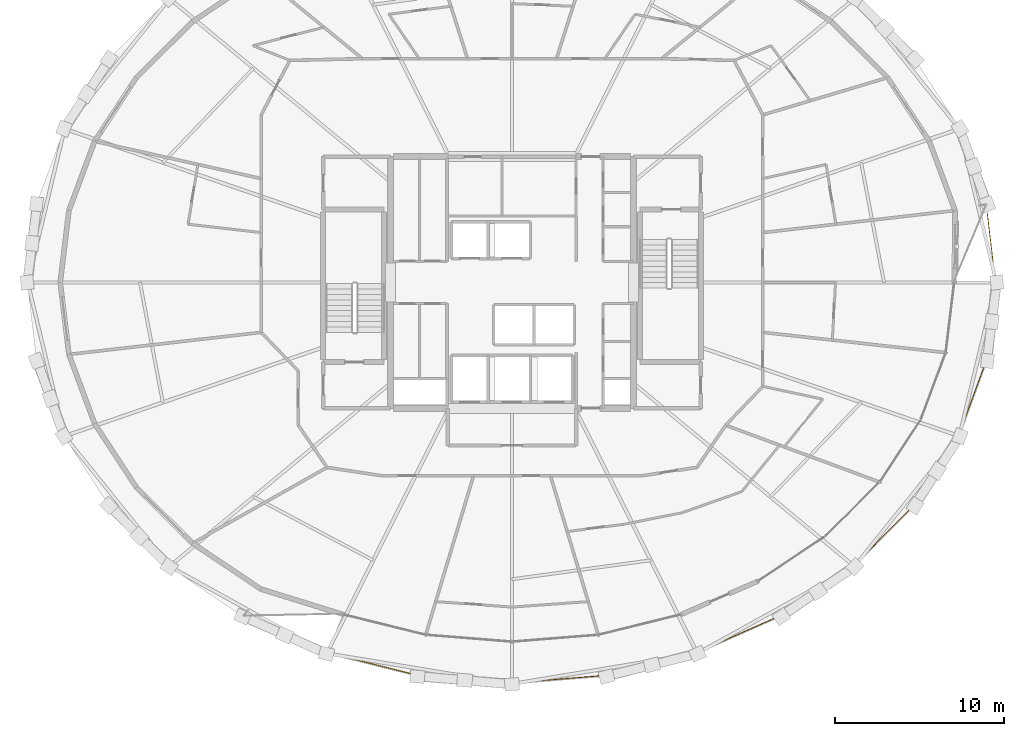
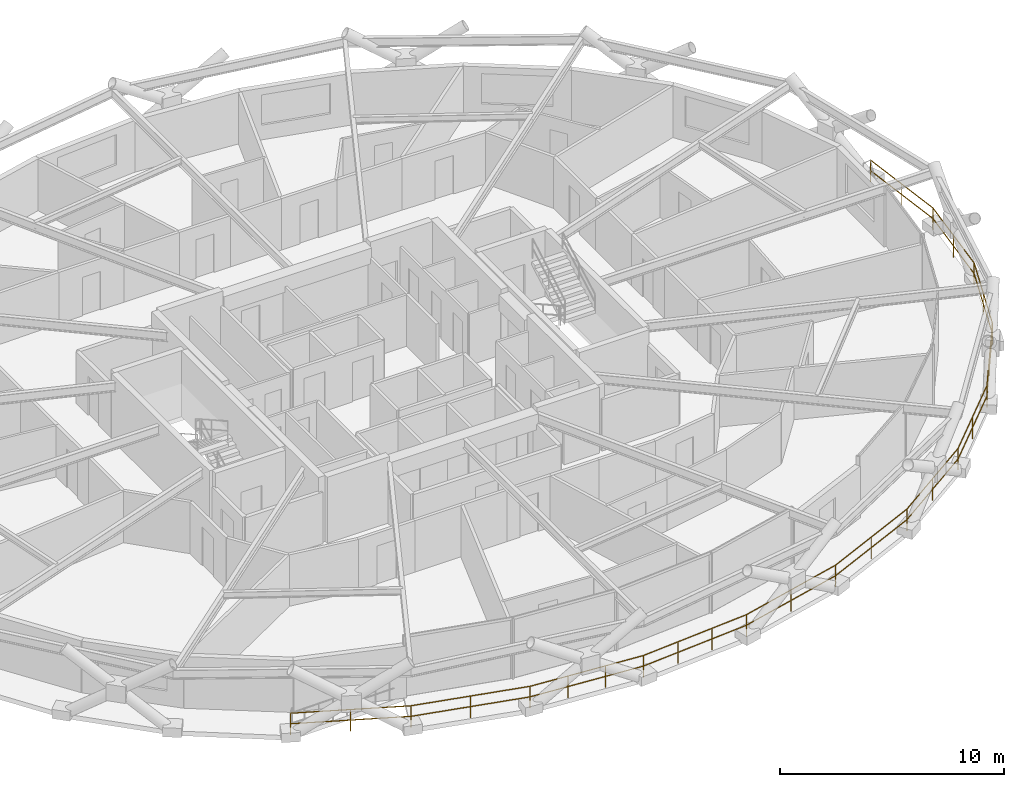
# One storey, part 19 of 20: 1 railing.
"""IFC4 building model written with IfcOpenShell, lengths in metres."""

from ifc_helpers import new_model, si_unit, direction, frame, origin, origin_2d, place, context, subcontext, project, spatial, circle, extrude, material, type_object, element, save


model = new_model("IFC4")

# Units and contexts
model_context = context("Model", 3, precision=1e-05, world=origin(), true_north=direction((0.0, 1.0)))
body_context = subcontext(model_context, "Body", "Model", "MODEL_VIEW")
ifc_project = project(units=[si_unit("LENGTHUNIT", "METRE"), si_unit("AREAUNIT", "SQUARE_METRE"), si_unit("VOLUMEUNIT", "CUBIC_METRE"), si_unit("PLANEANGLEUNIT", "RADIAN"), si_unit("MASSUNIT", "GRAM", prefix="KILO")], contexts=[model_context])

# Site, building, storey
site_placement = place(None, origin())
site = spatial("IfcSite", under=ifc_project, at=site_placement, CompositionType="ELEMENT")
building_placement = place(site_placement, origin())
building = spatial("IfcBuilding", under=site, at=building_placement, Name="Veldorina Hangang Commons", CompositionType="ELEMENT")
storey_placement = place(building_placement, frame((0.0, 0.0, 117.199951171875)))
storey = spatial("IfcBuildingStorey", under=building, at=storey_placement, Name="L29", CompositionType="ELEMENT", Elevation=117.199951171875)

# Railing
ifc_material = material(Name="Glass Laminated Safety Balustrade", Category="glass")
railing_type = type_object("IfcRailingType", Name="RL-BAL-LOGGIA", PredefinedType="BALUSTRADE", material=ifc_material)
railing_placement = place(storey_placement, frame((16.101806640625, 4.27783203125, 0.0)))
element("IfcRailing", 1, at=railing_placement, inside=storey, type_object=railing_type, Name="L29 sky-garden loggia outer balustrade", PredefinedType="BALUSTRADE", context=body_context, shape_type="SweptSolid", body=[
    extrude(circle(Radius=0.02392578125, at=origin_2d()), frame((0.0, 0.0, 1.17578125), z_axis=(0.91448750649, -0.404614137757, 0.0), x_axis=(0.404614137757, 0.91448750649, 0.0)), (0.0, 0.0, 1.0), 5.4111328125),
    extrude(circle(Radius=0.02392578125, at=origin_2d()), frame((0.0, 0.0, 0.60009765625), z_axis=(0.91448750649, -0.404614137757, 0.0), x_axis=(0.404614137757, 0.91448750649, 0.0)), (0.0, 0.0, 1.0), 5.4111328125),
    extrude(circle(Radius=0.02392578125, at=origin_2d()), frame((4.948486328125, -2.189453125, 1.17578125), z_axis=(0.969890279919, -0.243542285689, 0.0), x_axis=(0.243542285689, 0.969890279919, 0.0)), (0.0, 0.0, 1.0), 5.53466796875),
    extrude(circle(Radius=0.02392578125, at=origin_2d()), frame((4.948486328125, -2.189453125, 0.60009765625), z_axis=(0.969890279919, -0.243542285689, 0.0), x_axis=(0.243542285689, 0.969890279919, 0.0)), (0.0, 0.0, 1.0), 5.53466796875),
    extrude(circle(Radius=0.02392578125, at=origin_2d()), frame((10.31640625, -3.537353515625, 1.17578125), z_axis=(0.996692979472, -0.081259489732, 0.0), x_axis=(0.081259489732, 0.996692979472, 0.0)), (0.0, 0.0, 1.0), 5.600341796875),
    extrude(circle(Radius=0.02392578125, at=origin_2d()), frame((10.31640625, -3.537353515625, 0.60009765625), z_axis=(0.996692979472, -0.081259489732, 0.0), x_axis=(0.081259489732, 0.996692979472, 0.0)), (0.0, 0.0, 1.0), 5.600341796875),
    extrude(circle(Radius=0.02392578125, at=origin_2d()), frame((15.898193359375, -3.992431640625, 1.17578125), z_axis=(0.996692979472, 0.081259489732, 0.0), x_axis=(-0.081259489732, 0.996692979472, 0.0)), (0.0, 0.0, 1.0), 5.600341796875),
    extrude(circle(Radius=0.02392578125, at=origin_2d()), frame((15.898193359375, -3.992431640625, 0.60009765625), z_axis=(0.996692979472, 0.081259489732, 0.0), x_axis=(-0.081259489732, 0.996692979472, 0.0)), (0.0, 0.0, 1.0), 5.600341796875),
    extrude(circle(Radius=0.02392578125, at=origin_2d()), frame((21.47998046875, -3.537353515625, 1.17578125), z_axis=(0.969890279919, 0.243542285689, 0.0), x_axis=(-0.243542285689, 0.969890279919, 0.0)), (0.0, 0.0, 1.0), 5.53466796875),
    extrude(circle(Radius=0.02392578125, at=origin_2d()), frame((21.47998046875, -3.537353515625, 0.60009765625), z_axis=(0.969890279919, 0.243542285689, 0.0), x_axis=(-0.243542285689, 0.969890279919, 0.0)), (0.0, 0.0, 1.0), 5.53466796875),
    extrude(circle(Radius=0.02392578125, at=origin_2d()), frame((26.847900390625, -2.189453125, 1.17578125), z_axis=(0.91448750649, 0.404614137757, 0.0), x_axis=(-0.404614137757, 0.91448750649, 0.0)), (0.0, 0.0, 1.0), 5.4111328125),
    extrude(circle(Radius=0.02392578125, at=origin_2d()), frame((26.847900390625, -2.189453125, 0.60009765625), z_axis=(0.91448750649, 0.404614137757, 0.0), x_axis=(-0.404614137757, 0.91448750649, 0.0)), (0.0, 0.0, 1.0), 5.4111328125),
    extrude(circle(Radius=0.02392578125, at=origin_2d()), frame((31.79638671875, 0.0, 1.17578125), z_axis=(0.827141990228, 0.561992996399, 0.0), x_axis=(-0.561992996399, 0.827141990228, 0.0)), (0.0, 0.0, 1.0), 5.24560546875),
    extrude(circle(Radius=0.02392578125, at=origin_2d()), frame((31.79638671875, 0.0, 0.60009765625), z_axis=(0.827141990228, 0.561992996399, 0.0), x_axis=(-0.561992996399, 0.827141990228, 0.0)), (0.0, 0.0, 1.0), 5.24560546875),
    extrude(circle(Radius=0.02392578125, at=origin_2d()), frame((36.13525390625, 2.947998046875, 1.17578125), z_axis=(0.703963163529, 0.710236484838, 0.0), x_axis=(-0.710236484838, 0.703963163529, 0.0)), (0.0, 0.0, 1.0), 5.059326171875),
    extrude(circle(Radius=0.02392578125, at=origin_2d()), frame((36.13525390625, 2.947998046875, 0.60009765625), z_axis=(0.703963163529, 0.710236484838, 0.0), x_axis=(-0.710236484838, 0.703963163529, 0.0)), (0.0, 0.0, 1.0), 5.059326171875),
    extrude(circle(Radius=0.02392578125, at=origin_2d()), frame((39.69677734375, 6.541259765625, 1.17578125), z_axis=(0.542288635373, 0.840192261298, 0.0), x_axis=(-0.840192261298, 0.542288635373, 0.0)), (0.0, 0.0, 1.0), 4.881103515625),
    extrude(circle(Radius=0.02392578125, at=origin_2d()), frame((39.69677734375, 6.541259765625, 0.60009765625), z_axis=(0.542288635373, 0.840192261298, 0.0), x_axis=(-0.840192261298, 0.542288635373, 0.0)), (0.0, 0.0, 1.0), 4.881103515625),
    extrude(circle(Radius=0.02392578125, at=origin_2d()), frame((42.34375, 10.642333984375, 1.17578125), z_axis=(0.343967078904, 0.938981708358, 0.0), x_axis=(-0.938981708358, 0.343967078904, 0.0)), (0.0, 0.0, 1.0), 4.739990234375),
    extrude(circle(Radius=0.02392578125, at=origin_2d()), frame((42.34375, 10.642333984375, 0.60009765625), z_axis=(0.343967078904, 0.938981708358, 0.0), x_axis=(-0.938981708358, 0.343967078904, 0.0)), (0.0, 0.0, 1.0), 4.739990234375),
    extrude(circle(Radius=0.02392578125, at=origin_2d()), frame((43.97412109375, 15.093017578125, 1.17578125), z_axis=(0.118096086635, 0.993002172365, 0.0), x_axis=(-0.993002172365, 0.118096086635, 0.0)), (0.0, 0.0, 1.0), 4.661865234375),
    extrude(circle(Radius=0.02392578125, at=origin_2d()), frame((43.97412109375, 15.093017578125, 0.60009765625), z_axis=(0.118096086635, 0.993002172365, 0.0), x_axis=(-0.993002172365, 0.118096086635, 0.0)), (0.0, 0.0, 1.0), 4.661865234375),
    extrude(circle(Radius=0.02392578125, at=origin_2d()), frame((44.524658203125, 19.72216796875, 1.17578125), z_axis=(-0.118096086635, 0.993002172365, 0.0), x_axis=(-0.993002172365, -0.118096086635, 0.0)), (0.0, 0.0, 1.0), 4.661865234375),
    extrude(circle(Radius=0.02392578125, at=origin_2d()), frame((44.524658203125, 19.72216796875, 0.60009765625), z_axis=(-0.118096086635, 0.993002172365, 0.0), x_axis=(-0.993002172365, -0.118096086635, 0.0)), (0.0, 0.0, 1.0), 4.661865234375),
    extrude(circle(Radius=0.02099609375, at=origin_2d()), origin(), (0.0, 0.0, 1.0), 1.15185546875),
    extrude(circle(Radius=0.02099609375, at=origin_2d()), frame((2.47412109375, -1.0947265625, 0.0)), (0.0, 0.0, 1.0), 1.15185546875),
    extrude(circle(Radius=0.02099609375, at=origin_2d()), frame((4.948486328125, -2.189453125, 0.0)), (0.0, 0.0, 1.0), 1.15185546875),
    extrude(circle(Radius=0.02099609375, at=origin_2d()), frame((7.63232421875, -2.86328125, 0.0)), (0.0, 0.0, 1.0), 1.15185546875),
    extrude(circle(Radius=0.02099609375, at=origin_2d()), frame((10.31640625, -3.537353515625, 0.0)), (0.0, 0.0, 1.0), 1.15185546875),
    extrude(circle(Radius=0.02099609375, at=origin_2d()), frame((12.177001953125, -3.68896484375, 0.0)), (0.0, 0.0, 1.0), 1.15185546875),
    extrude(circle(Radius=0.02099609375, at=origin_2d()), frame((14.03759765625, -3.8408203125, 0.0)), (0.0, 0.0, 1.0), 1.15185546875),
    extrude(circle(Radius=0.02099609375, at=origin_2d()), frame((15.898193359375, -3.992431640625, 0.0)), (0.0, 0.0, 1.0), 1.15185546875),
    extrude(circle(Radius=0.02099609375, at=origin_2d()), frame((17.7587890625, -3.8408203125, 0.0)), (0.0, 0.0, 1.0), 1.15185546875),
    extrude(circle(Radius=0.02099609375, at=origin_2d()), frame((19.619384765625, -3.68896484375, 0.0)), (0.0, 0.0, 1.0), 1.15185546875),
    extrude(circle(Radius=0.02099609375, at=origin_2d()), frame((21.47998046875, -3.537353515625, 0.0)), (0.0, 0.0, 1.0), 1.15185546875),
    extrude(circle(Radius=0.02099609375, at=origin_2d()), frame((24.1640625, -2.86328125, 0.0)), (0.0, 0.0, 1.0), 1.15185546875),
    extrude(circle(Radius=0.02099609375, at=origin_2d()), frame((26.847900390625, -2.189453125, 0.0)), (0.0, 0.0, 1.0), 1.15185546875),
    extrude(circle(Radius=0.02099609375, at=origin_2d()), frame((29.322265625, -1.0947265625, 0.0)), (0.0, 0.0, 1.0), 1.15185546875),
    extrude(circle(Radius=0.02099609375, at=origin_2d()), frame((31.79638671875, 0.0, 0.0)), (0.0, 0.0, 1.0), 1.15185546875),
    extrude(circle(Radius=0.02099609375, at=origin_2d()), frame((33.9658203125, 1.47412109375, 0.0)), (0.0, 0.0, 1.0), 1.15185546875),
    extrude(circle(Radius=0.02099609375, at=origin_2d()), frame((36.13525390625, 2.947998046875, 0.0)), (0.0, 0.0, 1.0), 1.15185546875),
    extrude(circle(Radius=0.02099609375, at=origin_2d()), frame((37.916015625, 4.74462890625, 0.0)), (0.0, 0.0, 1.0), 1.15185546875),
    extrude(circle(Radius=0.02099609375, at=origin_2d()), frame((39.69677734375, 6.541259765625, 0.0)), (0.0, 0.0, 1.0), 1.15185546875),
    extrude(circle(Radius=0.02099609375, at=origin_2d()), frame((41.020263671875, 8.591796875, 0.0)), (0.0, 0.0, 1.0), 1.15185546875),
    extrude(circle(Radius=0.02099609375, at=origin_2d()), frame((42.34375, 10.642333984375, 0.0)), (0.0, 0.0, 1.0), 1.15185546875),
    extrude(circle(Radius=0.02099609375, at=origin_2d()), frame((43.158935546875, 12.86767578125, 0.0)), (0.0, 0.0, 1.0), 1.15185546875),
    extrude(circle(Radius=0.02099609375, at=origin_2d()), frame((43.97412109375, 15.093017578125, 0.0)), (0.0, 0.0, 1.0), 1.15185546875),
    extrude(circle(Radius=0.02099609375, at=origin_2d()), frame((44.24951171875, 17.40771484375, 0.0)), (0.0, 0.0, 1.0), 1.15185546875),
    extrude(circle(Radius=0.02099609375, at=origin_2d()), frame((44.524658203125, 19.72216796875, 0.0)), (0.0, 0.0, 1.0), 1.15185546875),
    extrude(circle(Radius=0.02099609375, at=origin_2d()), frame((44.24951171875, 22.03662109375, 0.0)), (0.0, 0.0, 1.0), 1.15185546875),
    extrude(circle(Radius=0.02099609375, at=origin_2d()), frame((43.97412109375, 24.351318359375, 0.0)), (0.0, 0.0, 1.0), 1.15185546875),
])

save(model, "model.ifc")
